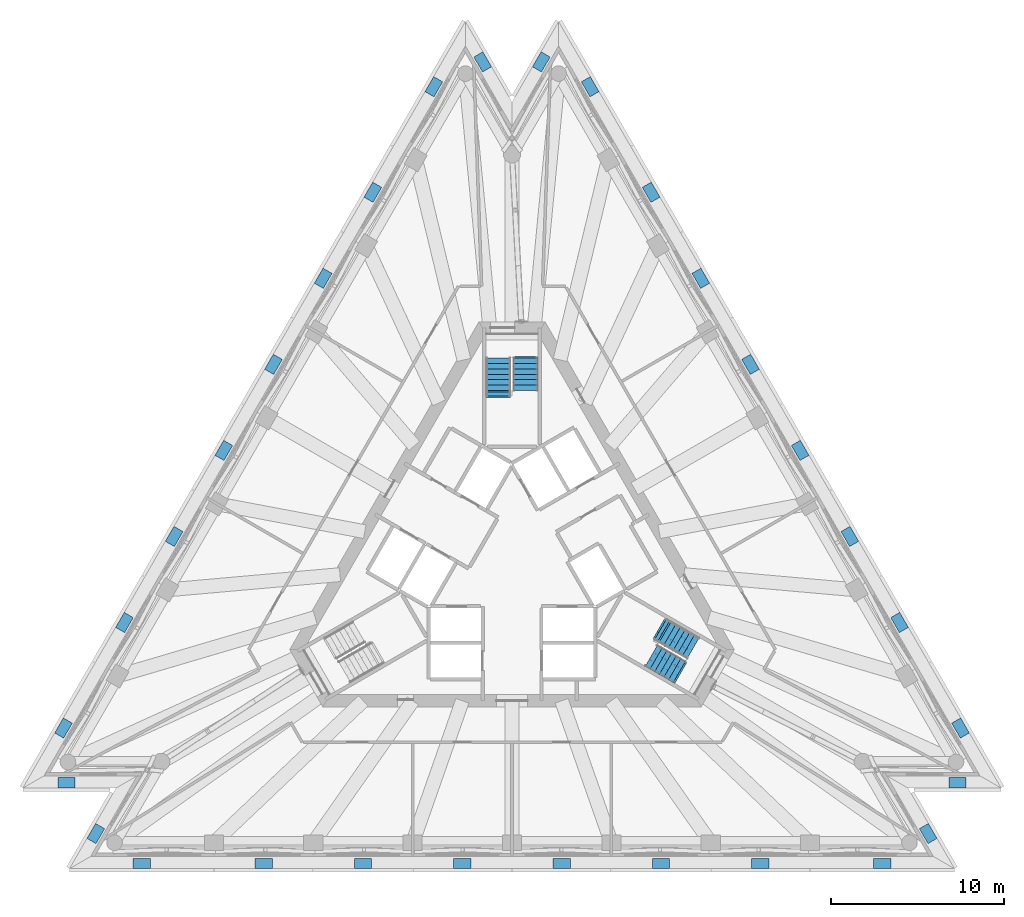
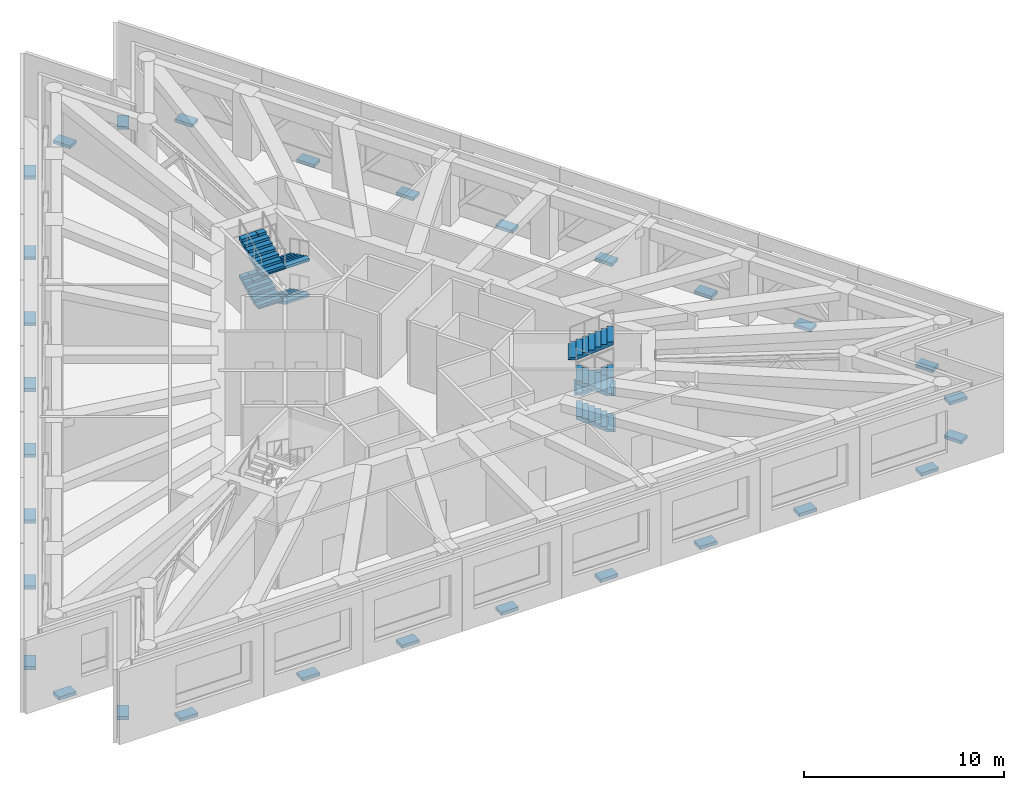
# One storey, part 10 of 12: 30 discrete accessories, 8 stair flights, 2 elements without a shape of their own.
"""IFC4 building model written with IfcOpenShell, lengths in metres."""

from ifc_helpers import new_model, si_unit, direction, frame, origin, origin_2d, place, context, subcontext, project, spatial, polyline, rectangle, outline, extrude, material, type_object, element, aggregate, save


model = new_model("IFC4")

# Units and contexts
model_context = context("Model", 3, precision=1e-05, world=origin(), true_north=direction((0.0, 1.0)))
body_context = subcontext(model_context, "Body", "Model", "MODEL_VIEW")
ifc_project = project(units=[si_unit("LENGTHUNIT", "METRE"), si_unit("AREAUNIT", "SQUARE_METRE"), si_unit("VOLUMEUNIT", "CUBIC_METRE"), si_unit("PLANEANGLEUNIT", "RADIAN"), si_unit("MASSUNIT", "GRAM", prefix="KILO")], contexts=[model_context])

# Site, building, storey
site_placement = place(None, origin())
site = spatial("IfcSite", under=ifc_project, at=site_placement, CompositionType="ELEMENT")
building_placement = place(site_placement, origin())
building = spatial("IfcBuilding", under=site, at=building_placement, Name="Triada Interchange Tower", CompositionType="ELEMENT")
storey_placement = place(building_placement, frame((0.0, 0.0, 251.300048828125)))
storey = spatial("IfcBuildingStorey", under=building, at=storey_placement, Name="L59", CompositionType="ELEMENT", Elevation=251.300048828125)

# Stair, stair flights
ifc_material_1 = material(Name="Concrete C35/45", Category="concrete")
stair_type = type_object("IfcStairType", Name="HALF TURN STAIR 1400", PredefinedType="HALF_TURN_STAIR", material=ifc_material_1)
stair_1_placement = place(storey_placement, origin())
stair_1 = element("IfcStair", 1, at=stair_1_placement, inside=storey, type_object=stair_type, Name="Exit stair S59-1", PredefinedType="HALF_TURN_STAIR")
stair_flight_type = type_object("IfcStairFlightType", Name="STRAIGHT STAIR FLIGHT 1400", PredefinedType="STRAIGHT", material=ifc_material_1)
stair_flight_1_placement = place(storey_placement, frame((0.800048828125, 11.60009765625, 0.0), z_axis=(0.0, 0.0, 1.0), x_axis=(0.0, -1.0, 0.0)))
stair_flight_1 = element("IfcStairFlight", 2, at=stair_flight_1_placement, type_object=stair_flight_type, Name="S59-1 flight 1", NumberOfRisers=7, NumberOfTreads=6, PredefinedType="STRAIGHT", RiserHeight=0.15517, TreadLength=0.31, context=body_context, shape_type="SweptSolid", body=[
    extrude(outline(polyline([(-0.10009765625, 0.0), (-0.10009765625, 0.02001953125), (0.0, 0.02001953125), (0.0, 0.1552734375), (0.31005859375, 0.1552734375), (0.31005859375, 0.310302734375), (0.6201171875, 0.310302734375), (0.6201171875, 0.465576171875), (0.929931640625, 0.465576171875), (0.929931640625, 0.62060546875), (1.239990234375, 0.62060546875), (1.239990234375, 0.77587890625), (1.550048828125, 0.77587890625), (1.550048828125, 0.930908203125), (1.860107421875, 0.930908203125), (1.864013671875, 0.930908203125), (1.864013671875, 1.086181640625), (1.864013671875, 0.763427734375), (0.3349609375, 0.0), (-0.10009765625, 0.0)])), frame((0.0, 0.699951171875, 0.0), z_axis=(0.0, -1.0, 0.0), x_axis=(1.0, 0.0, 0.0)), (0.0, 0.0, 1.0), 0.46533203125),
    extrude(outline(polyline([(-0.10009765625, 0.0), (-0.10009765625, 0.02001953125), (0.0, 0.02001953125), (0.0, 0.1552734375), (0.31005859375, 0.1552734375), (0.31005859375, 0.310302734375), (0.6201171875, 0.310302734375), (0.6201171875, 0.465576171875), (0.929931640625, 0.465576171875), (0.929931640625, 0.62060546875), (1.239990234375, 0.62060546875), (1.239990234375, 0.77587890625), (1.550048828125, 0.77587890625), (1.550048828125, 0.930908203125), (1.860107421875, 0.930908203125), (1.864013671875, 0.930908203125), (1.864013671875, 1.086181640625), (1.864013671875, 0.763427734375), (0.3349609375, 0.0), (-0.10009765625, 0.0)])), frame((0.0, 0.232666015625, 0.0), z_axis=(0.0, -1.0, 0.0), x_axis=(1.0, 0.0, 0.0)), (0.0, 0.0, 1.0), 0.46533203125),
    extrude(outline(polyline([(-0.10009765625, 0.0), (-0.10009765625, 0.02001953125), (0.0, 0.02001953125), (0.0, 0.1552734375), (0.31005859375, 0.1552734375), (0.31005859375, 0.310302734375), (0.6201171875, 0.310302734375), (0.6201171875, 0.465576171875), (0.929931640625, 0.465576171875), (0.929931640625, 0.62060546875), (1.239990234375, 0.62060546875), (1.239990234375, 0.77587890625), (1.550048828125, 0.77587890625), (1.550048828125, 0.930908203125), (1.860107421875, 0.930908203125), (1.864013671875, 0.930908203125), (1.864013671875, 1.086181640625), (1.864013671875, 0.763427734375), (0.3349609375, 0.0), (-0.10009765625, 0.0)])), frame((0.0, -0.234619140625, 0.0), z_axis=(0.0, -1.0, 0.0), x_axis=(1.0, 0.0, 0.0)), (0.0, 0.0, 1.0), 0.46533203125),
])
stair_flight_2_placement = place(storey_placement, frame((-0.800048828125, 9.739990234375, 1.086181640625), z_axis=(0.0, 0.0, 1.0), x_axis=(0.0, 1.0, 0.0)))
stair_flight_2 = element("IfcStairFlight", 3, at=stair_flight_2_placement, type_object=stair_flight_type, Name="S59-1 flight 2", NumberOfRisers=7, NumberOfTreads=6, PredefinedType="STRAIGHT", RiserHeight=0.15517, TreadLength=0.31, context=body_context, shape_type="SweptSolid", body=[
    extrude(outline(polyline([(-0.10009765625, 0.0), (-0.10009765625, 0.02001953125), (0.0, 0.02001953125), (0.0, 0.1552734375), (0.31005859375, 0.1552734375), (0.31005859375, 0.310302734375), (0.6201171875, 0.310302734375), (0.6201171875, 0.465576171875), (0.929931640625, 0.465576171875), (0.929931640625, 0.62060546875), (1.239990234375, 0.62060546875), (1.239990234375, 0.77587890625), (1.550048828125, 0.77587890625), (1.550048828125, 0.930908203125), (1.860107421875, 0.930908203125), (1.864013671875, 0.930908203125), (1.864013671875, 1.086181640625), (1.864013671875, 0.763427734375), (0.3349609375, 0.0), (-0.10009765625, 0.0)])), frame((0.0, 0.699951171875, 0.0), z_axis=(0.0, -1.0, 0.0), x_axis=(1.0, 0.0, 0.0)), (0.0, 0.0, 1.0), 0.46533203125),
    extrude(outline(polyline([(-0.10009765625, 0.0), (-0.10009765625, 0.02001953125), (0.0, 0.02001953125), (0.0, 0.1552734375), (0.31005859375, 0.1552734375), (0.31005859375, 0.310302734375), (0.6201171875, 0.310302734375), (0.6201171875, 0.465576171875), (0.929931640625, 0.465576171875), (0.929931640625, 0.62060546875), (1.239990234375, 0.62060546875), (1.239990234375, 0.77587890625), (1.550048828125, 0.77587890625), (1.550048828125, 0.930908203125), (1.860107421875, 0.930908203125), (1.864013671875, 0.930908203125), (1.864013671875, 1.086181640625), (1.864013671875, 0.763427734375), (0.3349609375, 0.0), (-0.10009765625, 0.0)])), frame((0.0, 0.232666015625, 0.0), z_axis=(0.0, -1.0, 0.0), x_axis=(1.0, 0.0, 0.0)), (0.0, 0.0, 1.0), 0.46533203125),
    extrude(outline(polyline([(-0.10009765625, 0.0), (-0.10009765625, 0.02001953125), (0.0, 0.02001953125), (0.0, 0.1552734375), (0.31005859375, 0.1552734375), (0.31005859375, 0.310302734375), (0.6201171875, 0.310302734375), (0.6201171875, 0.465576171875), (0.929931640625, 0.465576171875), (0.929931640625, 0.62060546875), (1.239990234375, 0.62060546875), (1.239990234375, 0.77587890625), (1.550048828125, 0.77587890625), (1.550048828125, 0.930908203125), (1.860107421875, 0.930908203125), (1.864013671875, 0.930908203125), (1.864013671875, 1.086181640625), (1.864013671875, 0.763427734375), (0.3349609375, 0.0), (-0.10009765625, 0.0)])), frame((0.0, -0.234619140625, 0.0), z_axis=(0.0, -1.0, 0.0), x_axis=(1.0, 0.0, 0.0)), (0.0, 0.0, 1.0), 0.46533203125),
])
stair_flight_3_placement = place(storey_placement, frame((0.800048828125, 11.60009765625, 2.17236328125), z_axis=(0.0, 0.0, 1.0), x_axis=(0.0, -1.0, 0.0)))
stair_flight_3 = element("IfcStairFlight", 4, at=stair_flight_3_placement, type_object=stair_flight_type, Name="S59-1 flight 3", NumberOfRisers=7, NumberOfTreads=6, PredefinedType="STRAIGHT", RiserHeight=0.15517, TreadLength=0.31, context=body_context, shape_type="SweptSolid", body=[
    extrude(outline(polyline([(-0.10009765625, 0.0), (-0.10009765625, 0.02001953125), (0.0, 0.02001953125), (0.0, 0.1552734375), (0.31005859375, 0.1552734375), (0.31005859375, 0.310302734375), (0.6201171875, 0.310302734375), (0.6201171875, 0.465576171875), (0.929931640625, 0.465576171875), (0.929931640625, 0.62060546875), (1.239990234375, 0.62060546875), (1.239990234375, 0.77587890625), (1.550048828125, 0.77587890625), (1.550048828125, 0.930908203125), (1.860107421875, 0.930908203125), (1.864013671875, 0.930908203125), (1.864013671875, 1.086181640625), (1.864013671875, 0.763427734375), (0.3349609375, 0.0), (-0.10009765625, 0.0)])), frame((0.0, 0.699951171875, 0.0), z_axis=(0.0, -1.0, 0.0), x_axis=(1.0, 0.0, 0.0)), (0.0, 0.0, 1.0), 0.46533203125),
    extrude(outline(polyline([(-0.10009765625, 0.0), (-0.10009765625, 0.02001953125), (0.0, 0.02001953125), (0.0, 0.1552734375), (0.31005859375, 0.1552734375), (0.31005859375, 0.310302734375), (0.6201171875, 0.310302734375), (0.6201171875, 0.465576171875), (0.929931640625, 0.465576171875), (0.929931640625, 0.62060546875), (1.239990234375, 0.62060546875), (1.239990234375, 0.77587890625), (1.550048828125, 0.77587890625), (1.550048828125, 0.930908203125), (1.860107421875, 0.930908203125), (1.864013671875, 0.930908203125), (1.864013671875, 1.086181640625), (1.864013671875, 0.763427734375), (0.3349609375, 0.0), (-0.10009765625, 0.0)])), frame((0.0, 0.232666015625, 0.0), z_axis=(0.0, -1.0, 0.0), x_axis=(1.0, 0.0, 0.0)), (0.0, 0.0, 1.0), 0.46533203125),
    extrude(outline(polyline([(-0.10009765625, 0.0), (-0.10009765625, 0.02001953125), (0.0, 0.02001953125), (0.0, 0.1552734375), (0.31005859375, 0.1552734375), (0.31005859375, 0.310302734375), (0.6201171875, 0.310302734375), (0.6201171875, 0.465576171875), (0.929931640625, 0.465576171875), (0.929931640625, 0.62060546875), (1.239990234375, 0.62060546875), (1.239990234375, 0.77587890625), (1.550048828125, 0.77587890625), (1.550048828125, 0.930908203125), (1.860107421875, 0.930908203125), (1.864013671875, 0.930908203125), (1.864013671875, 1.086181640625), (1.864013671875, 0.763427734375), (0.3349609375, 0.0), (-0.10009765625, 0.0)])), frame((0.0, -0.234619140625, 0.0), z_axis=(0.0, -1.0, 0.0), x_axis=(1.0, 0.0, 0.0)), (0.0, 0.0, 1.0), 0.46533203125),
])
stair_flight_4_placement = place(storey_placement, frame((-0.800048828125, 9.429931640625, 3.258544921875), z_axis=(0.0, 0.0, 1.0), x_axis=(0.0, 1.0, 0.0)))
stair_flight_4 = element("IfcStairFlight", 5, at=stair_flight_4_placement, type_object=stair_flight_type, Name="S59-1 flight 4", NumberOfRisers=8, NumberOfTreads=7, PredefinedType="STRAIGHT", RiserHeight=0.15517, TreadLength=0.31, context=body_context, shape_type="SweptSolid", body=[
    extrude(outline(polyline([(-0.10009765625, 0.0), (-0.10009765625, 0.02001953125), (0.0, 0.02001953125), (0.0, 0.1552734375), (0.31005859375, 0.1552734375), (0.31005859375, 0.310302734375), (0.6201171875, 0.310302734375), (0.6201171875, 0.465576171875), (0.929931640625, 0.465576171875), (0.929931640625, 0.62060546875), (1.239990234375, 0.62060546875), (1.239990234375, 0.77587890625), (1.550048828125, 0.77587890625), (1.550048828125, 0.930908203125), (1.860107421875, 0.930908203125), (1.860107421875, 1.086181640625), (2.169921875, 1.086181640625), (2.174072265625, 1.086181640625), (2.174072265625, 1.241455078125), (2.174072265625, 0.91845703125), (0.3349609375, 0.0), (-0.10009765625, 0.0)])), frame((0.0, 0.699951171875, 0.0), z_axis=(0.0, -1.0, 0.0), x_axis=(1.0, 0.0, 0.0)), (0.0, 0.0, 1.0), 0.46533203125),
    extrude(outline(polyline([(-0.10009765625, 0.0), (-0.10009765625, 0.02001953125), (0.0, 0.02001953125), (0.0, 0.1552734375), (0.31005859375, 0.1552734375), (0.31005859375, 0.310302734375), (0.6201171875, 0.310302734375), (0.6201171875, 0.465576171875), (0.929931640625, 0.465576171875), (0.929931640625, 0.62060546875), (1.239990234375, 0.62060546875), (1.239990234375, 0.77587890625), (1.550048828125, 0.77587890625), (1.550048828125, 0.930908203125), (1.860107421875, 0.930908203125), (1.860107421875, 1.086181640625), (2.169921875, 1.086181640625), (2.174072265625, 1.086181640625), (2.174072265625, 1.241455078125), (2.174072265625, 0.91845703125), (0.3349609375, 0.0), (-0.10009765625, 0.0)])), frame((0.0, 0.232666015625, 0.0), z_axis=(0.0, -1.0, 0.0), x_axis=(1.0, 0.0, 0.0)), (0.0, 0.0, 1.0), 0.46533203125),
    extrude(outline(polyline([(-0.10009765625, 0.0), (-0.10009765625, 0.02001953125), (0.0, 0.02001953125), (0.0, 0.1552734375), (0.31005859375, 0.1552734375), (0.31005859375, 0.310302734375), (0.6201171875, 0.310302734375), (0.6201171875, 0.465576171875), (0.929931640625, 0.465576171875), (0.929931640625, 0.62060546875), (1.239990234375, 0.62060546875), (1.239990234375, 0.77587890625), (1.550048828125, 0.77587890625), (1.550048828125, 0.930908203125), (1.860107421875, 0.930908203125), (1.860107421875, 1.086181640625), (2.169921875, 1.086181640625), (2.174072265625, 1.086181640625), (2.174072265625, 1.241455078125), (2.174072265625, 0.91845703125), (0.3349609375, 0.0), (-0.10009765625, 0.0)])), frame((0.0, -0.234619140625, 0.0), z_axis=(0.0, -1.0, 0.0), x_axis=(1.0, 0.0, 0.0)), (0.0, 0.0, 1.0), 0.46533203125),
])
aggregate(stair_1, [stair_flight_1, stair_flight_2, stair_flight_3, stair_flight_4])

stair_2_placement = place(storey_placement, origin())
stair_2 = element("IfcStair", 6, at=stair_2_placement, inside=storey, type_object=stair_type, Name="Exit stair S59-3", PredefinedType="HALF_TURN_STAIR")
stair_flight_5_placement = place(storey_placement, frame((9.64599609375, -6.492919921875, 0.0), z_axis=(0.0, 0.0, 1.0), x_axis=(-0.866025403784, 0.5, 0.0)))
stair_flight_5 = element("IfcStairFlight", 7, at=stair_flight_5_placement, type_object=stair_flight_type, Name="S59-3 flight 1", NumberOfRisers=7, NumberOfTreads=6, PredefinedType="STRAIGHT", RiserHeight=0.15517, TreadLength=0.31, context=body_context, shape_type="SweptSolid", body=[
    extrude(outline(polyline([(-0.10009765625, 0.0), (-0.10009765625, 0.02001953125), (0.0, 0.02001953125), (0.0, 0.1552734375), (0.31005859375, 0.1552734375), (0.31005859375, 0.310302734375), (0.6201171875, 0.310302734375), (0.6201171875, 0.465576171875), (0.929931640625, 0.465576171875), (0.929931640625, 0.62060546875), (1.239990234375, 0.62060546875), (1.239990234375, 0.77587890625), (1.550048828125, 0.77587890625), (1.550048828125, 0.930908203125), (1.860107421875, 0.930908203125), (1.864013671875, 0.930908203125), (1.864013671875, 1.086181640625), (1.864013671875, 0.763427734375), (0.3349609375, 0.0), (-0.10009765625, 0.0)])), frame((0.0, 0.699951171875, 0.0), z_axis=(0.0, -1.0, 0.0), x_axis=(1.0, 0.0, 0.0)), (0.0, 0.0, 1.0), 0.46533203125),
    extrude(outline(polyline([(-0.10009765625, 0.0), (-0.10009765625, 0.02001953125), (0.0, 0.02001953125), (0.0, 0.1552734375), (0.31005859375, 0.1552734375), (0.31005859375, 0.310302734375), (0.6201171875, 0.310302734375), (0.6201171875, 0.465576171875), (0.929931640625, 0.465576171875), (0.929931640625, 0.62060546875), (1.239990234375, 0.62060546875), (1.239990234375, 0.77587890625), (1.550048828125, 0.77587890625), (1.550048828125, 0.930908203125), (1.860107421875, 0.930908203125), (1.864013671875, 0.930908203125), (1.864013671875, 1.086181640625), (1.864013671875, 0.763427734375), (0.3349609375, 0.0), (-0.10009765625, 0.0)])), frame((0.0, 0.232666015625, 0.0), z_axis=(0.0, -1.0, 0.0), x_axis=(1.0, 0.0, 0.0)), (0.0, 0.0, 1.0), 0.46533203125),
    extrude(outline(polyline([(-0.10009765625, 0.0), (-0.10009765625, 0.02001953125), (0.0, 0.02001953125), (0.0, 0.1552734375), (0.31005859375, 0.1552734375), (0.31005859375, 0.310302734375), (0.6201171875, 0.310302734375), (0.6201171875, 0.465576171875), (0.929931640625, 0.465576171875), (0.929931640625, 0.62060546875), (1.239990234375, 0.62060546875), (1.239990234375, 0.77587890625), (1.550048828125, 0.77587890625), (1.550048828125, 0.930908203125), (1.860107421875, 0.930908203125), (1.864013671875, 0.930908203125), (1.864013671875, 1.086181640625), (1.864013671875, 0.763427734375), (0.3349609375, 0.0), (-0.10009765625, 0.0)])), frame((0.0, -0.234619140625, 0.0), z_axis=(0.0, -1.0, 0.0), x_axis=(1.0, 0.0, 0.0)), (0.0, 0.0, 1.0), 0.46533203125),
])
stair_flight_6_placement = place(storey_placement, frame((8.8349609375, -4.177001953125, 1.086181640625), z_axis=(0.0, 0.0, 1.0), x_axis=(0.866025403784, -0.5, 0.0)))
stair_flight_6 = element("IfcStairFlight", 8, at=stair_flight_6_placement, type_object=stair_flight_type, Name="S59-3 flight 2", NumberOfRisers=7, NumberOfTreads=6, PredefinedType="STRAIGHT", RiserHeight=0.15517, TreadLength=0.31, context=body_context, shape_type="SweptSolid", body=[
    extrude(outline(polyline([(-0.10009765625, 0.0), (-0.10009765625, 0.02001953125), (0.0, 0.02001953125), (0.0, 0.1552734375), (0.31005859375, 0.1552734375), (0.31005859375, 0.310302734375), (0.6201171875, 0.310302734375), (0.6201171875, 0.465576171875), (0.929931640625, 0.465576171875), (0.929931640625, 0.62060546875), (1.239990234375, 0.62060546875), (1.239990234375, 0.77587890625), (1.550048828125, 0.77587890625), (1.550048828125, 0.930908203125), (1.860107421875, 0.930908203125), (1.864013671875, 0.930908203125), (1.864013671875, 1.086181640625), (1.864013671875, 0.763427734375), (0.3349609375, 0.0), (-0.10009765625, 0.0)])), frame((0.0, 0.699951171875, 0.0), z_axis=(0.0, -1.0, 0.0), x_axis=(1.0, 0.0, 0.0)), (0.0, 0.0, 1.0), 0.46533203125),
    extrude(outline(polyline([(-0.10009765625, 0.0), (-0.10009765625, 0.02001953125), (0.0, 0.02001953125), (0.0, 0.1552734375), (0.31005859375, 0.1552734375), (0.31005859375, 0.310302734375), (0.6201171875, 0.310302734375), (0.6201171875, 0.465576171875), (0.929931640625, 0.465576171875), (0.929931640625, 0.62060546875), (1.239990234375, 0.62060546875), (1.239990234375, 0.77587890625), (1.550048828125, 0.77587890625), (1.550048828125, 0.930908203125), (1.860107421875, 0.930908203125), (1.864013671875, 0.930908203125), (1.864013671875, 1.086181640625), (1.864013671875, 0.763427734375), (0.3349609375, 0.0), (-0.10009765625, 0.0)])), frame((0.0, 0.232666015625, 0.0), z_axis=(0.0, -1.0, 0.0), x_axis=(1.0, 0.0, 0.0)), (0.0, 0.0, 1.0), 0.46533203125),
    extrude(outline(polyline([(-0.10009765625, 0.0), (-0.10009765625, 0.02001953125), (0.0, 0.02001953125), (0.0, 0.1552734375), (0.31005859375, 0.1552734375), (0.31005859375, 0.310302734375), (0.6201171875, 0.310302734375), (0.6201171875, 0.465576171875), (0.929931640625, 0.465576171875), (0.929931640625, 0.62060546875), (1.239990234375, 0.62060546875), (1.239990234375, 0.77587890625), (1.550048828125, 0.77587890625), (1.550048828125, 0.930908203125), (1.860107421875, 0.930908203125), (1.864013671875, 0.930908203125), (1.864013671875, 1.086181640625), (1.864013671875, 0.763427734375), (0.3349609375, 0.0), (-0.10009765625, 0.0)])), frame((0.0, -0.234619140625, 0.0), z_axis=(0.0, -1.0, 0.0), x_axis=(1.0, 0.0, 0.0)), (0.0, 0.0, 1.0), 0.46533203125),
])
stair_flight_7_placement = place(storey_placement, frame((9.64599609375, -6.492919921875, 2.17236328125), z_axis=(0.0, 0.0, 1.0), x_axis=(-0.866025403784, 0.5, 0.0)))
stair_flight_7 = element("IfcStairFlight", 9, at=stair_flight_7_placement, type_object=stair_flight_type, Name="S59-3 flight 3", NumberOfRisers=7, NumberOfTreads=6, PredefinedType="STRAIGHT", RiserHeight=0.15517, TreadLength=0.31, context=body_context, shape_type="SweptSolid", body=[
    extrude(outline(polyline([(-0.10009765625, 0.0), (-0.10009765625, 0.02001953125), (0.0, 0.02001953125), (0.0, 0.1552734375), (0.31005859375, 0.1552734375), (0.31005859375, 0.310302734375), (0.6201171875, 0.310302734375), (0.6201171875, 0.465576171875), (0.929931640625, 0.465576171875), (0.929931640625, 0.62060546875), (1.239990234375, 0.62060546875), (1.239990234375, 0.77587890625), (1.550048828125, 0.77587890625), (1.550048828125, 0.930908203125), (1.860107421875, 0.930908203125), (1.864013671875, 0.930908203125), (1.864013671875, 1.086181640625), (1.864013671875, 0.763427734375), (0.3349609375, 0.0), (-0.10009765625, 0.0)])), frame((0.0, 0.699951171875, 0.0), z_axis=(0.0, -1.0, 0.0), x_axis=(1.0, 0.0, 0.0)), (0.0, 0.0, 1.0), 0.46533203125),
    extrude(outline(polyline([(-0.10009765625, 0.0), (-0.10009765625, 0.02001953125), (0.0, 0.02001953125), (0.0, 0.1552734375), (0.31005859375, 0.1552734375), (0.31005859375, 0.310302734375), (0.6201171875, 0.310302734375), (0.6201171875, 0.465576171875), (0.929931640625, 0.465576171875), (0.929931640625, 0.62060546875), (1.239990234375, 0.62060546875), (1.239990234375, 0.77587890625), (1.550048828125, 0.77587890625), (1.550048828125, 0.930908203125), (1.860107421875, 0.930908203125), (1.864013671875, 0.930908203125), (1.864013671875, 1.086181640625), (1.864013671875, 0.763427734375), (0.3349609375, 0.0), (-0.10009765625, 0.0)])), frame((0.0, 0.232666015625, 0.0), z_axis=(0.0, -1.0, 0.0), x_axis=(1.0, 0.0, 0.0)), (0.0, 0.0, 1.0), 0.46533203125),
    extrude(outline(polyline([(-0.10009765625, 0.0), (-0.10009765625, 0.02001953125), (0.0, 0.02001953125), (0.0, 0.1552734375), (0.31005859375, 0.1552734375), (0.31005859375, 0.310302734375), (0.6201171875, 0.310302734375), (0.6201171875, 0.465576171875), (0.929931640625, 0.465576171875), (0.929931640625, 0.62060546875), (1.239990234375, 0.62060546875), (1.239990234375, 0.77587890625), (1.550048828125, 0.77587890625), (1.550048828125, 0.930908203125), (1.860107421875, 0.930908203125), (1.864013671875, 0.930908203125), (1.864013671875, 1.086181640625), (1.864013671875, 0.763427734375), (0.3349609375, 0.0), (-0.10009765625, 0.0)])), frame((0.0, -0.234619140625, 0.0), z_axis=(0.0, -1.0, 0.0), x_axis=(1.0, 0.0, 0.0)), (0.0, 0.0, 1.0), 0.46533203125),
])
stair_flight_8_placement = place(storey_placement, frame((8.56689453125, -4.02197265625, 3.258544921875), z_axis=(0.0, 0.0, 1.0), x_axis=(0.866025403784, -0.5, 0.0)))
stair_flight_8 = element("IfcStairFlight", 10, at=stair_flight_8_placement, type_object=stair_flight_type, Name="S59-3 flight 4", NumberOfRisers=8, NumberOfTreads=7, PredefinedType="STRAIGHT", RiserHeight=0.15517, TreadLength=0.31, context=body_context, shape_type="SweptSolid", body=[
    extrude(outline(polyline([(-0.10009765625, 0.0), (-0.10009765625, 0.02001953125), (0.0, 0.02001953125), (0.0, 0.1552734375), (0.31005859375, 0.1552734375), (0.31005859375, 0.310302734375), (0.6201171875, 0.310302734375), (0.6201171875, 0.465576171875), (0.929931640625, 0.465576171875), (0.929931640625, 0.62060546875), (1.239990234375, 0.62060546875), (1.239990234375, 0.77587890625), (1.550048828125, 0.77587890625), (1.550048828125, 0.930908203125), (1.860107421875, 0.930908203125), (1.860107421875, 1.086181640625), (2.169921875, 1.086181640625), (2.174072265625, 1.086181640625), (2.174072265625, 1.241455078125), (2.174072265625, 0.91845703125), (0.3349609375, 0.0), (-0.10009765625, 0.0)])), frame((0.0, 0.699951171875, 0.0), z_axis=(0.0, -1.0, 0.0), x_axis=(1.0, 0.0, 0.0)), (0.0, 0.0, 1.0), 0.46533203125),
    extrude(outline(polyline([(-0.10009765625, 0.0), (-0.10009765625, 0.02001953125), (0.0, 0.02001953125), (0.0, 0.1552734375), (0.31005859375, 0.1552734375), (0.31005859375, 0.310302734375), (0.6201171875, 0.310302734375), (0.6201171875, 0.465576171875), (0.929931640625, 0.465576171875), (0.929931640625, 0.62060546875), (1.239990234375, 0.62060546875), (1.239990234375, 0.77587890625), (1.550048828125, 0.77587890625), (1.550048828125, 0.930908203125), (1.860107421875, 0.930908203125), (1.860107421875, 1.086181640625), (2.169921875, 1.086181640625), (2.174072265625, 1.086181640625), (2.174072265625, 1.241455078125), (2.174072265625, 0.91845703125), (0.3349609375, 0.0), (-0.10009765625, 0.0)])), frame((0.0, 0.232666015625, 0.0), z_axis=(0.0, -1.0, 0.0), x_axis=(1.0, 0.0, 0.0)), (0.0, 0.0, 1.0), 0.46533203125),
    extrude(outline(polyline([(-0.10009765625, 0.0), (-0.10009765625, 0.02001953125), (0.0, 0.02001953125), (0.0, 0.1552734375), (0.31005859375, 0.1552734375), (0.31005859375, 0.310302734375), (0.6201171875, 0.310302734375), (0.6201171875, 0.465576171875), (0.929931640625, 0.465576171875), (0.929931640625, 0.62060546875), (1.239990234375, 0.62060546875), (1.239990234375, 0.77587890625), (1.550048828125, 0.77587890625), (1.550048828125, 0.930908203125), (1.860107421875, 0.930908203125), (1.860107421875, 1.086181640625), (2.169921875, 1.086181640625), (2.174072265625, 1.086181640625), (2.174072265625, 1.241455078125), (2.174072265625, 0.91845703125), (0.3349609375, 0.0), (-0.10009765625, 0.0)])), frame((0.0, -0.234619140625, 0.0), z_axis=(0.0, -1.0, 0.0), x_axis=(1.0, 0.0, 0.0)), (0.0, 0.0, 1.0), 0.46533203125),
])
aggregate(stair_2, [stair_flight_5, stair_flight_6, stair_flight_7, stair_flight_8])

# Discrete accessories
ifc_material_2 = material(Name="Steel S355", Category="steel")
discrete_accessory_type = type_object("IfcDiscreteAccessoryType", Name="Steel bracket outer skin", PredefinedType="BRACKET", material=ifc_material_2)
for number, where, z_axis, x_axis, name in (
    (11, (-4.508056640625, 27.2548828125, -0.27001953125), (0.0, 0.0, 1.0), (-0.866024321678, 0.500001874258, 0.0), "Bracket L59 01"),
    (12, (-8.02197265625, 21.1689453125, -0.27001953125), (0.0, 0.0, 1.0), (-0.866024321678, 0.500001874258, 0.0), "Bracket L59 02"),
    (13, (-10.885986328125, 16.2080078125, -0.27001953125), (0.0, 0.0, 1.0), (-0.866024321678, 0.500001874258, 0.0), "Bracket L59 03"),
    (14, (-13.7509765625, 11.2470703125, -0.27001953125), (0.0, 0.0, 1.0), (-0.866024321678, 0.500001874258, 0.0), "Bracket L59 04"),
    (15, (-16.614990234375, 6.284912109375, -0.27001953125), (0.0, 0.0, 1.0), (-0.866024321678, 0.500001874258, 0.0), "Bracket L59 05"),
    (16, (-19.47900390625, 1.323974609375, -0.27001953125), (0.0, 0.0, 1.0), (-0.866024321678, 0.500001874258, 0.0), "Bracket L59 06"),
    (17, (-22.343994140625, -3.636962890625, -0.27001953125), (0.0, 0.0, 1.0), (-0.866024321678, 0.500001874258, 0.0), "Bracket L59 07"),
    (18, (-25.85791015625, -9.722900390625, -0.27001953125), (0.0, 0.0, 1.0), (-0.866024321678, 0.500001874258, 0.0), "Bracket L59 08"),
    (19, (-25.68701171875, -12.87890625, -0.27001953125), (0.0, 0.0, 1.0), (0.0, -1.0, 0.0), "Bracket L59 09"),
    (20, (-23.9970703125, -15.805908203125, -0.27001953125), (0.0, 0.0, 1.0), (-0.866058510782, 0.499942652614, 0.0), "Bracket L59 10"),
    (21, (-21.35009765625, -17.531982421875, -0.27001953125), (0.0, 0.0, 1.0), (0.0, -1.0, 0.0), "Bracket L59 11"),
    (22, (-14.322021484375, -17.531982421875, -0.27001953125), (0.0, 0.0, 1.0), (0.0, -1.0, 0.0), "Bracket L59 12"),
    (23, (-8.593017578125, -17.531982421875, -0.27001953125), (0.0, 0.0, 1.0), (0.0, -1.0, 0.0), "Bracket L59 13"),
    (24, (-2.864013671875, -17.531982421875, -0.27001953125), (0.0, 0.0, 1.0), (0.0, -1.0, 0.0), "Bracket L59 14"),
    (25, (2.864013671875, -17.531982421875, -0.27001953125), (0.0, 0.0, 1.0), (0.0, -1.0, 0.0), "Bracket L59 15"),
    (26, (8.593017578125, -17.531982421875, -0.27001953125), (0.0, 0.0, 1.0), (0.0, -1.0, 0.0), "Bracket L59 16"),
    (27, (14.322021484375, -17.531982421875, -0.27001953125), (0.0, 0.0, 1.0), (0.0, -1.0, 0.0), "Bracket L59 17"),
    (28, (21.35009765625, -17.531982421875, -0.27001953125), (0.0, 0.0, 1.0), (0.0, -1.0, 0.0), "Bracket L59 18"),
    (29, (23.9970703125, -15.805908203125, -0.27001953125), (0.0, 0.0, 1.0), (0.866058510782, 0.499942652614, 0.0), "Bracket L59 19"),
    (30, (25.68701171875, -12.87890625, -0.27001953125), (0.0, 0.0, 1.0), (0.0, -1.0, 0.0), "Bracket L59 20"),
    (31, (25.85791015625, -9.722900390625, -0.27001953125), (0.0, 0.0, 1.0), (0.866024321678, 0.500001874258, 0.0), "Bracket L59 21"),
    (32, (22.343994140625, -3.636962890625, -0.27001953125), (0.0, 0.0, 1.0), (0.866024321678, 0.500001874258, 0.0), "Bracket L59 22"),
    (33, (19.47900390625, 1.323974609375, -0.27001953125), (0.0, 0.0, 1.0), (0.866024321678, 0.500001874258, 0.0), "Bracket L59 23"),
    (34, (16.614990234375, 6.284912109375, -0.27001953125), (0.0, 0.0, 1.0), (0.866024321678, 0.500001874258, 0.0), "Bracket L59 24"),
    (35, (13.7509765625, 11.2470703125, -0.27001953125), (0.0, 0.0, 1.0), (0.866024321678, 0.500001874258, 0.0), "Bracket L59 25"),
    (36, (10.885986328125, 16.2080078125, -0.27001953125), (0.0, 0.0, 1.0), (0.866024321678, 0.500001874258, 0.0), "Bracket L59 26"),
    (37, (8.02197265625, 21.1689453125, -0.27001953125), (0.0, 0.0, 1.0), (0.866024321678, 0.500001874258, 0.0), "Bracket L59 27"),
    (38, (4.508056640625, 27.2548828125, -0.27001953125), (0.0, 0.0, 1.0), (0.866024321678, 0.500001874258, 0.0), "Bracket L59 28"),
    (39, (1.68896484375, 28.68505859375, -0.27001953125), (0.0, 0.0, 1.0), (-0.86601198189, 0.500023246682, 0.0), "Bracket L59 29"),
    (40, (-1.68896484375, 28.68505859375, -0.27001953125), (0.0, 0.0, 1.0), (0.86601198189, 0.500023246682, 0.0), "Bracket L59 30"),
):
    element("IfcDiscreteAccessory", number, at=place(storey_placement, frame(where, z_axis=z_axis, x_axis=x_axis)), inside=storey, type_object=discrete_accessory_type, Name=name, PredefinedType="BRACKET", context=body_context, shape_type="SweptSolid", body=[
        extrude(rectangle(XDim=0.60009765625, YDim=1.0, at=origin_2d()), origin(), (0.0, 0.0, 1.0), 0.199951171875),
    ])

save(model, "model.ifc")
